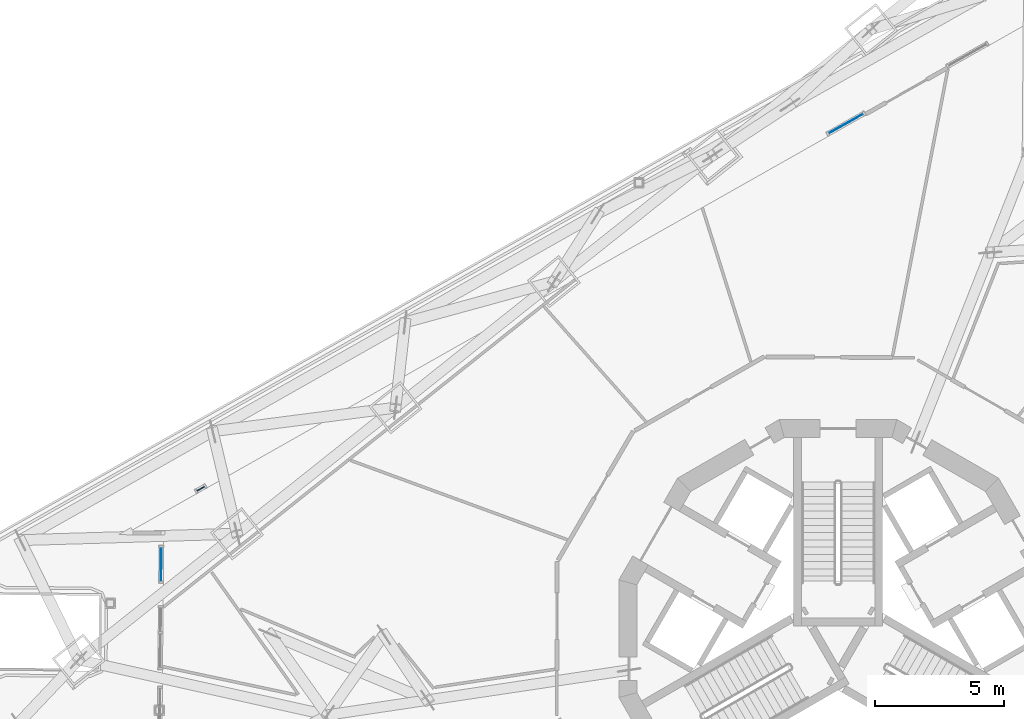
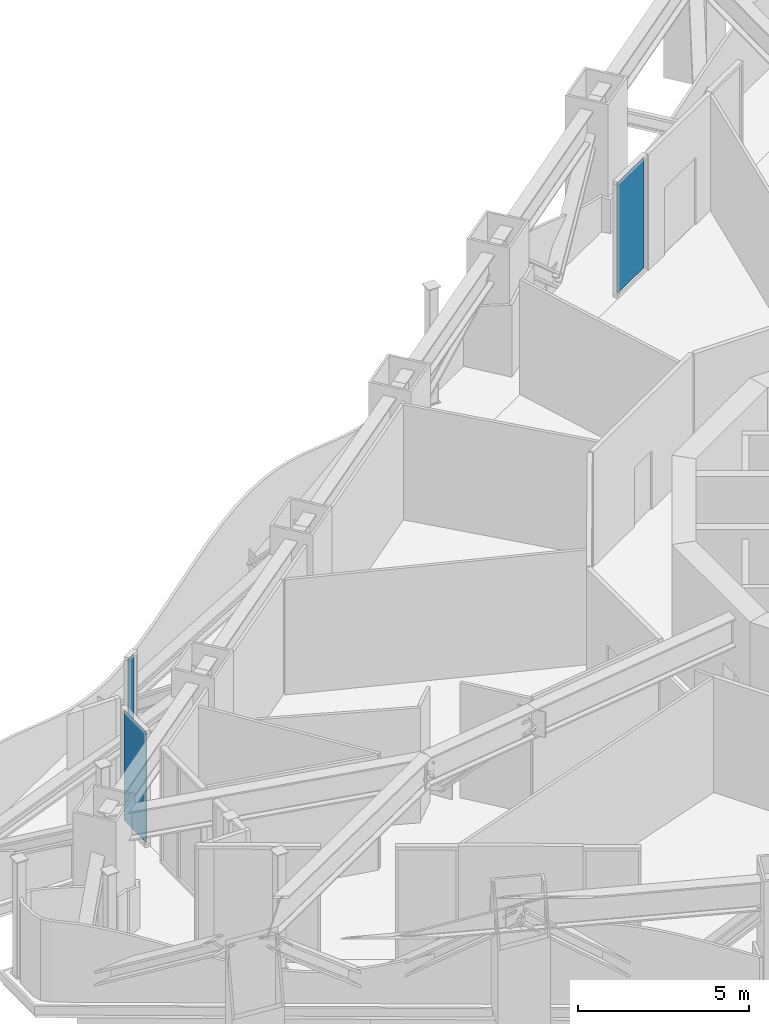
# One storey, part 10 of 27: 3 plates, 3 elements without a shape of their own.
"""IFC4 building model written with IfcOpenShell, lengths in metres."""

from ifc_helpers import new_model, si_unit, direction, frame, origin, origin_2d, place, context, subcontext, project, spatial, rectangle, extrude, material, layer, layer_set, type_object, element, aggregate, save


model = new_model("IFC4")

# Units and contexts
model_context = context("Model", 3, precision=1e-05, world=origin(), true_north=direction((0.0, 1.0)))
body_context = subcontext(model_context, "Body", "Model", "MODEL_VIEW")
ifc_project = project(units=[si_unit("LENGTHUNIT", "METRE"), si_unit("AREAUNIT", "SQUARE_METRE"), si_unit("VOLUMEUNIT", "CUBIC_METRE"), si_unit("PLANEANGLEUNIT", "RADIAN"), si_unit("MASSUNIT", "GRAM", prefix="KILO")], contexts=[model_context])

# Site, building, storey
site_placement = place(None, origin())
site = spatial("IfcSite", under=ifc_project, at=site_placement, CompositionType="ELEMENT")
building_placement = place(site_placement, origin())
building = spatial("IfcBuilding", under=site, at=building_placement, Name="Trine Commons Tower", CompositionType="ELEMENT")
storey_placement = place(building_placement, frame((0.0, 0.0, 193.5)))
storey = spatial("IfcBuildingStorey", under=building, at=storey_placement, Name="L50", CompositionType="ELEMENT", Elevation=193.5)

# Curtain wall, plate
ifc_material_1 = material(Name="Sky lounge glazing: anodised aluminium frame with low-emissivity double glazed unit, solar control", Category="aluminium")
ifc_layer_1 = layer(ifc_material_1, 0.179931640625)
ifc_layer_set_1 = layer_set([ifc_layer_1], Name="Sky lounge glazing: anodised aluminium frame with low-emissivity double glazed unit, solar control")
curtain_wall_type = type_object("IfcCurtainWallType", Name="Sky lounge glazing curtain wall CW5", PredefinedType="NOTDEFINED", material=ifc_layer_set_1)
curtain_wall_1_placement = place(storey_placement, origin())
curtain_wall_1 = element("IfcCurtainWall", 1, at=curtain_wall_1_placement, inside=storey, type_object=curtain_wall_type, Name="Sky lounge glazing L50 P1.3", PredefinedType="NOTDEFINED")
ifc_material_2 = material(Name="Low-emissivity double glazed unit, solar control")
ifc_layer_2 = layer(ifc_material_2, 0.031982421875)
ifc_layer_set_2 = layer_set([ifc_layer_2], Name="Low-emissivity double glazed unit, solar control")
plate_type = type_object("IfcPlateType", Name="Double glazed unit 32 mm (sky floors)", PredefinedType="CURTAIN_PANEL", material=ifc_layer_set_2)
plate_1_placement = place(storey_placement, frame((53.759033203125, 65.388427734375, 0.10986328125), z_axis=(0.0, 0.0, 1.0), x_axis=(0.008726535498, 0.999961923064, 0.0)))
plate_1 = element("IfcPlate", 2, at=plate_1_placement, type_object=plate_type, Name="CW5 panel 1.1", PredefinedType="CURTAIN_PANEL", context=body_context, shape_type="SweptSolid", body=[
    extrude(rectangle(XDim=1.314208984375, YDim=0.031982421875, at=origin_2d()), origin(), (0.0, 0.0, 1.0), 3.929931640625),
])
aggregate(curtain_wall_1, [plate_1])

curtain_wall_2_placement = place(storey_placement, origin())
curtain_wall_2 = element("IfcCurtainWall", 3, at=curtain_wall_2_placement, inside=storey, type_object=curtain_wall_type, Name="Sky lounge glazing L50 F1.1", PredefinedType="NOTDEFINED")
plate_2_placement = place(storey_placement, frame((55.2919921875, 68.314697265625, 0.10986328125), z_axis=(0.0, 0.0, 1.0), x_axis=(0.87035569594, 0.492423560103, 0.0)))
plate_2 = element("IfcPlate", 4, at=plate_2_placement, type_object=plate_type, Name="CW5 panel 1.1", PredefinedType="CURTAIN_PANEL", context=body_context, shape_type="SweptSolid", body=[
    extrude(rectangle(XDim=0.3193359375, YDim=0.031982421875, at=origin_2d()), origin(), (0.0, 0.0, 1.0), 3.929931640625),
])
aggregate(curtain_wall_2, [plate_2])

curtain_wall_3_placement = place(storey_placement, origin())
curtain_wall_3 = element("IfcCurtainWall", 5, at=curtain_wall_3_placement, inside=storey, type_object=curtain_wall_type, Name="Sky lounge glazing L50 F1.2", PredefinedType="NOTDEFINED")
plate_3_placement = place(storey_placement, frame((80.3046875, 82.466064453125, 0.10986328125), z_axis=(0.0, 0.0, 1.0), x_axis=(0.87035569594, 0.492423560103, 0.0)))
plate_3 = element("IfcPlate", 6, at=plate_3_placement, type_object=plate_type, Name="CW5 panel 1.1", PredefinedType="CURTAIN_PANEL", context=body_context, shape_type="SweptSolid", body=[
    extrude(rectangle(XDim=1.539306640625, YDim=0.031982421875, at=origin_2d()), origin(), (0.0, 0.0, 1.0), 3.929931640625),
])
aggregate(curtain_wall_3, [plate_3])

save(model, "model.ifc")
